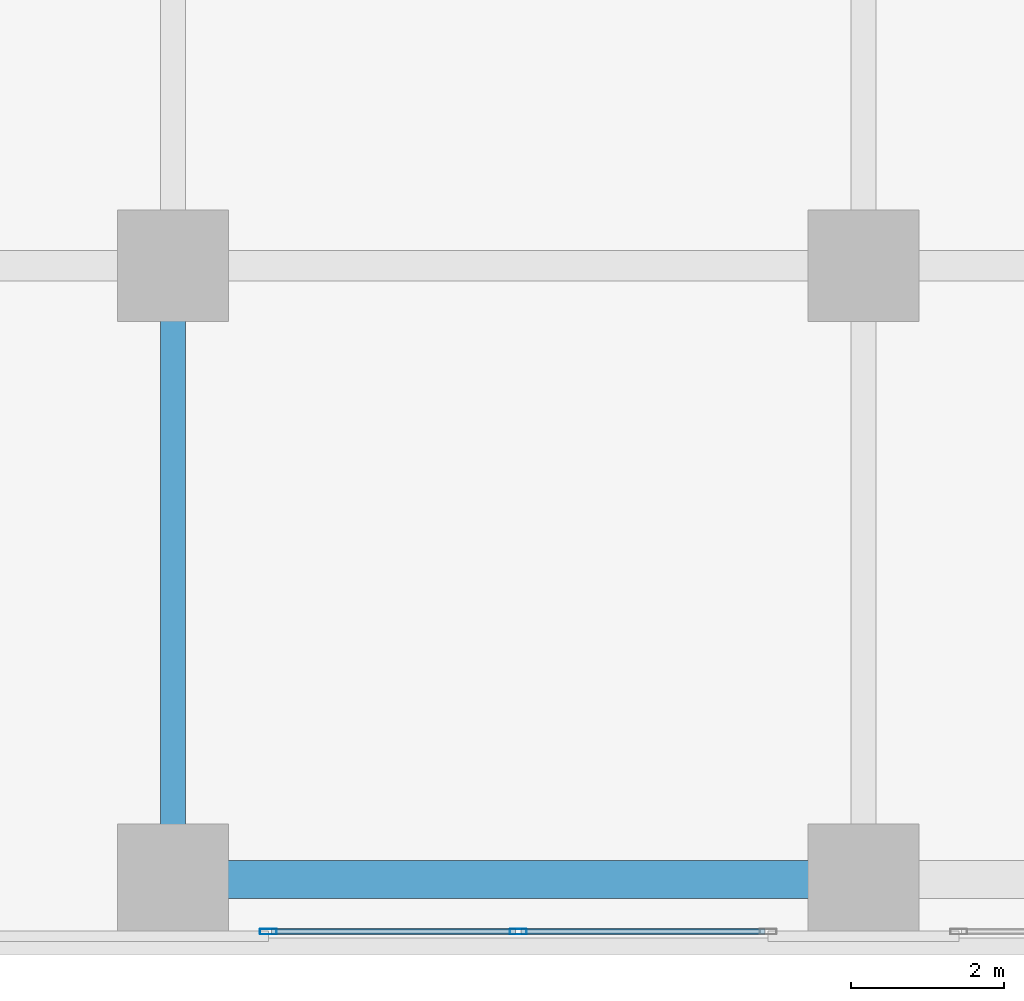
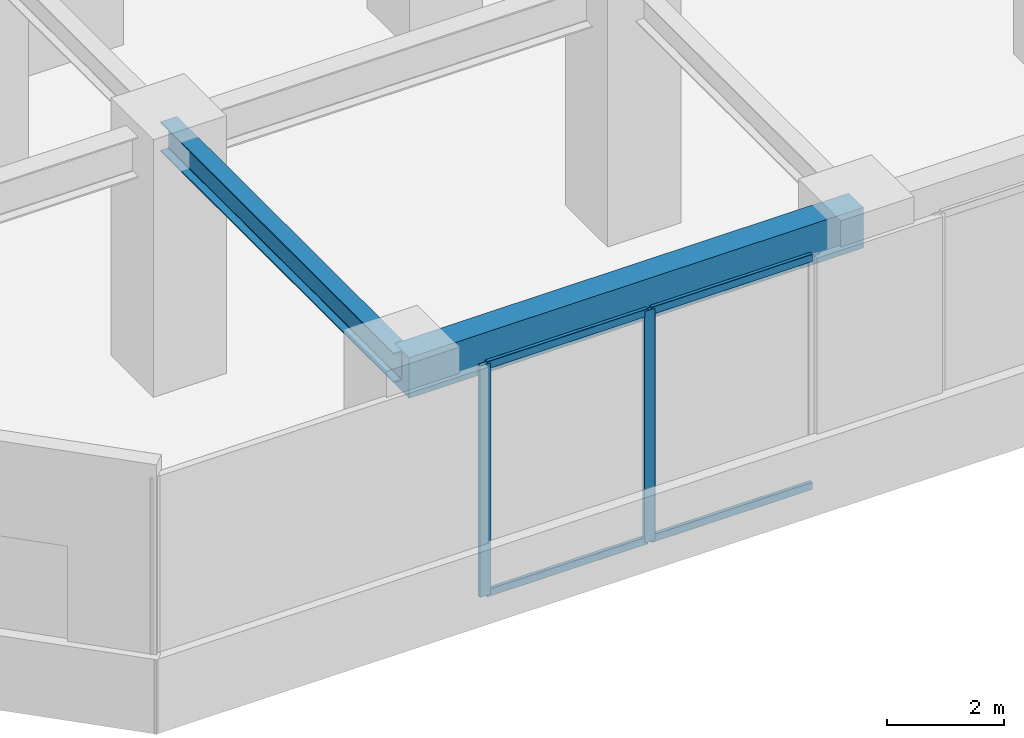
# One storey, part 2 of 33: 6 members, 2 beams, 1 element without a shape of its own.
"""IFC4 building model written with IfcOpenShell, lengths in metres."""

from ifc_helpers import new_model, si_unit, direction, frame, origin, origin_2d, place, context, subcontext, project, spatial, rectangle, hollow_rectangle, i_section, extrude, source, transform, mapped, material, material_profile, profile_set, type_object, element, aggregate, save


model = new_model("IFC4")

# Units and contexts
model_context = context("Model", 3, precision=1e-05, world=origin(), true_north=direction((0.0, 1.0)))
body_context = subcontext(model_context, "Body", "Model", "MODEL_VIEW")
ifc_project = project(units=[si_unit("LENGTHUNIT", "METRE"), si_unit("AREAUNIT", "SQUARE_METRE"), si_unit("VOLUMEUNIT", "CUBIC_METRE"), si_unit("PLANEANGLEUNIT", "RADIAN"), si_unit("MASSUNIT", "GRAM", prefix="KILO")], contexts=[model_context])

# Site, building, storey
site_placement = place(None, origin())
site = spatial("IfcSite", under=ifc_project, at=site_placement, CompositionType="ELEMENT")
building_placement = place(site_placement, origin())
building = spatial("IfcBuilding", under=site, at=building_placement, Name="Torre Montelarca", CompositionType="ELEMENT")
storey_placement = place(building_placement, frame((0.0, 0.0, 12.0)))
storey = spatial("IfcBuildingStorey", under=building, at=storey_placement, Name="L03", CompositionType="ELEMENT", Elevation=12.0)

# Beams
ifc_material_1 = material(Name="Concrete C55/67", Category="concrete")
ifc_material_profile_1 = material_profile(ifc_material_1, rectangle(XDim=0.5, YDim=0.85009765625, at=origin_2d()), Name="RCB500X850", Category="concrete")
ifc_profile_set_1 = profile_set([ifc_material_profile_1], Name="Concrete C55/67")
beam_type_1 = type_object("IfcBeamType", Name="BM-SP-RC850-EXT", PredefinedType="SPANDREL", material=ifc_profile_set_1)
shared_shape_1 = source(origin(), body_context, "Body", "SweptSolid", [
    extrude(rectangle(XDim=0.5, YDim=0.85009765625, at=origin_2d()), origin(), (0.0, 0.0, 1.0), 9.0),
])
beam_1_placement = place(storey_placement, frame((9.0, 0.0, 4.715087890625), z_axis=(1.0, 0.0, 0.0), x_axis=(0.0, 1.0, 0.0)))
element("IfcBeam", 1, at=beam_1_placement, inside=storey, type_object=beam_type_1, Name="L03 Grid Girder X 9.0-18.0 at Y=0.0", PredefinedType="SPANDREL", context=body_context, shape_type="MappedRepresentation", body=[
    mapped(shared_shape_1, transform((0.0, 0.0, 0.0), scale=1.0)),
])
ifc_material_2 = material(Name="Steel ASTM A992 Grade 50", Category="steel")
ifc_material_profile_2 = material_profile(ifc_material_2, i_section(OverallWidth=0.326904296875, OverallDepth=0.6220703125, WebThickness=0.015380859375, FlangeThickness=0.0244140625, FilletRadius=0.014892578125, at=origin_2d()), Name="W610X195", Category="steel")
ifc_profile_set_2 = profile_set([ifc_material_profile_2], Name="Steel ASTM A992 Grade 50")
beam_type_2 = type_object("IfcBeamType", Name="BM-G-W610H", PredefinedType="BEAM", material=ifc_profile_set_2)
shared_shape_2 = source(origin(), body_context, "Body", "SweptSolid", [
    extrude(i_section(OverallWidth=0.326904296875, OverallDepth=0.6220703125, WebThickness=0.015380859375, FlangeThickness=0.0244140625, FilletRadius=0.014892578125, at=origin_2d()), origin(), (0.0, 0.0, 1.0), 8.0),
])
beam_2_placement = place(storey_placement, frame((9.0, 0.0, 4.8291015625), z_axis=(0.0, 1.0, 0.0), x_axis=(-1.0, 0.0, 0.0)))
element("IfcBeam", 2, at=beam_2_placement, inside=storey, type_object=beam_type_2, Name="L03 Grid Girder Y 0.0-8.0 at X=9.0", PredefinedType="BEAM", context=body_context, shape_type="MappedRepresentation", body=[
    mapped(shared_shape_2, transform((0.0, 0.0, 0.0), scale=1.0)),
])

# Curtain wall, members
ifc_material_3 = material(Name="Insulated low-E laminated glass", Category="glass")
curtain_wall_type = type_object("IfcCurtainWallType", Name="CW-SYS-POD2", PredefinedType="USERDEFINED", material=ifc_material_3)
curtain_wall_placement = place(storey_placement, origin())
curtain_wall = element("IfcCurtainWall", 3, at=curtain_wall_placement, inside=storey, type_object=curtain_wall_type, Name="L03 Curtain Wall Run CW-T3-L03-E01-B1", ObjectType="UNITISED GLAZING", PredefinedType="USERDEFINED")
ifc_material_4 = material(Name="Anodised aluminium AA 6063-T6", Category="aluminium")
ifc_material_profile_3 = material_profile(ifc_material_4, hollow_rectangle(XDim=0.074951171875, YDim=0.159912109375, WallThickness=0.0048828125, InnerFilletRadius=0.0048828125, OuterFilletRadius=0.010009765625, at=origin_2d()), Name="ALU75X160X5", Category="aluminium")
ifc_profile_set_3 = profile_set([ifc_material_profile_3], Name="Anodised aluminium AA 6063-T6")
member_type_1 = type_object("IfcMemberType", Name="CWT-ALU160", PredefinedType="USERDEFINED", material=ifc_profile_set_3)
shared_shape_3 = source(origin(), body_context, "Body", "SweptSolid", [
    extrude(hollow_rectangle(XDim=0.074951171875, YDim=0.159912109375, WallThickness=0.0048828125, InnerFilletRadius=0.0048828125, OuterFilletRadius=0.010009765625, at=origin_2d()), origin(), (0.0, 0.0, 1.0), 3.182373046875),
])
member_1_placement = place(storey_placement, frame((10.280029296875, -0.679931640625, 0.03759765625), z_axis=(1.0, 0.0, 0.0), x_axis=(0.0, 1.0, 0.0)))
member_1 = element("IfcMember", 4, at=member_1_placement, type_object=member_type_1, Name="CW transom 1.1", ObjectType="TRANSOM", PredefinedType="USERDEFINED", context=body_context, shape_type="MappedRepresentation", body=[
    mapped(shared_shape_3, transform((0.0, 0.0, 0.0), scale=1.0)),
])
member_2_placement = place(storey_placement, frame((10.280029296875, -0.679931640625, 4.8125), z_axis=(1.0, 0.0, 0.0), x_axis=(0.0, 1.0, 0.0)))
member_2 = element("IfcMember", 5, at=member_2_placement, type_object=member_type_1, Name="CW transom 1.2", ObjectType="TRANSOM", PredefinedType="USERDEFINED", context=body_context, shape_type="MappedRepresentation", body=[
    mapped(shared_shape_3, transform((0.0, 0.0, 0.0), scale=1.0)),
])
member_3_placement = place(storey_placement, frame((13.53759765625, -0.679931640625, 0.03759765625), z_axis=(1.0, 0.0, 0.0), x_axis=(0.0, 1.0, 0.0)))
member_3 = element("IfcMember", 6, at=member_3_placement, type_object=member_type_1, Name="CW transom 2.1", ObjectType="TRANSOM", PredefinedType="USERDEFINED", context=body_context, shape_type="MappedRepresentation", body=[
    mapped(shared_shape_3, transform((0.0, 0.0, 0.0), scale=1.0)),
])
member_4_placement = place(storey_placement, frame((13.53759765625, -0.679931640625, 4.8125), z_axis=(1.0, 0.0, 0.0), x_axis=(0.0, 1.0, 0.0)))
member_4 = element("IfcMember", 7, at=member_4_placement, type_object=member_type_1, Name="CW transom 2.2", ObjectType="TRANSOM", PredefinedType="USERDEFINED", context=body_context, shape_type="MappedRepresentation", body=[
    mapped(shared_shape_3, transform((0.0, 0.0, 0.0), scale=1.0)),
])
ifc_material_profile_4 = material_profile(ifc_material_4, hollow_rectangle(XDim=0.074951171875, YDim=0.219970703125, WallThickness=0.0048828125, InnerFilletRadius=0.0048828125, OuterFilletRadius=0.010009765625, at=origin_2d()), Name="ALU75X220X5", Category="aluminium")
ifc_profile_set_4 = profile_set([ifc_material_profile_4], Name="Anodised aluminium AA 6063-T6")
member_type_2 = type_object("IfcMemberType", Name="CWM-ALU220", PredefinedType="MULLION", material=ifc_profile_set_4)
shared_shape_4 = source(origin(), body_context, "Body", "SweptSolid", [
    extrude(hollow_rectangle(XDim=0.074951171875, YDim=0.219970703125, WallThickness=0.0048828125, InnerFilletRadius=0.0048828125, OuterFilletRadius=0.010009765625, at=origin_2d()), origin(), (0.0, 0.0, 1.0), 4.85009765625),
])
member_5_placement = place(storey_placement, frame((10.242431640625, -0.679931640625, 0.0), z_axis=(0.0, 0.0, 1.0), x_axis=(0.0, 1.0, 0.0)))
member_5 = element("IfcMember", 8, at=member_5_placement, type_object=member_type_2, Name="CW mullion 1", PredefinedType="MULLION", context=body_context, shape_type="MappedRepresentation", body=[
    mapped(shared_shape_4, transform((0.0, 0.0, 0.0), scale=1.0)),
])
member_6_placement = place(storey_placement, frame((13.5, -0.679931640625, 0.0), z_axis=(0.0, 0.0, 1.0), x_axis=(0.0, 1.0, 0.0)))
member_6 = element("IfcMember", 9, at=member_6_placement, type_object=member_type_2, Name="CW mullion 2", PredefinedType="MULLION", context=body_context, shape_type="MappedRepresentation", body=[
    mapped(shared_shape_4, transform((0.0, 0.0, 0.0), scale=1.0)),
])
aggregate(curtain_wall, [member_5, member_6, member_1, member_2, member_3, member_4])

save(model, "model.ifc")
